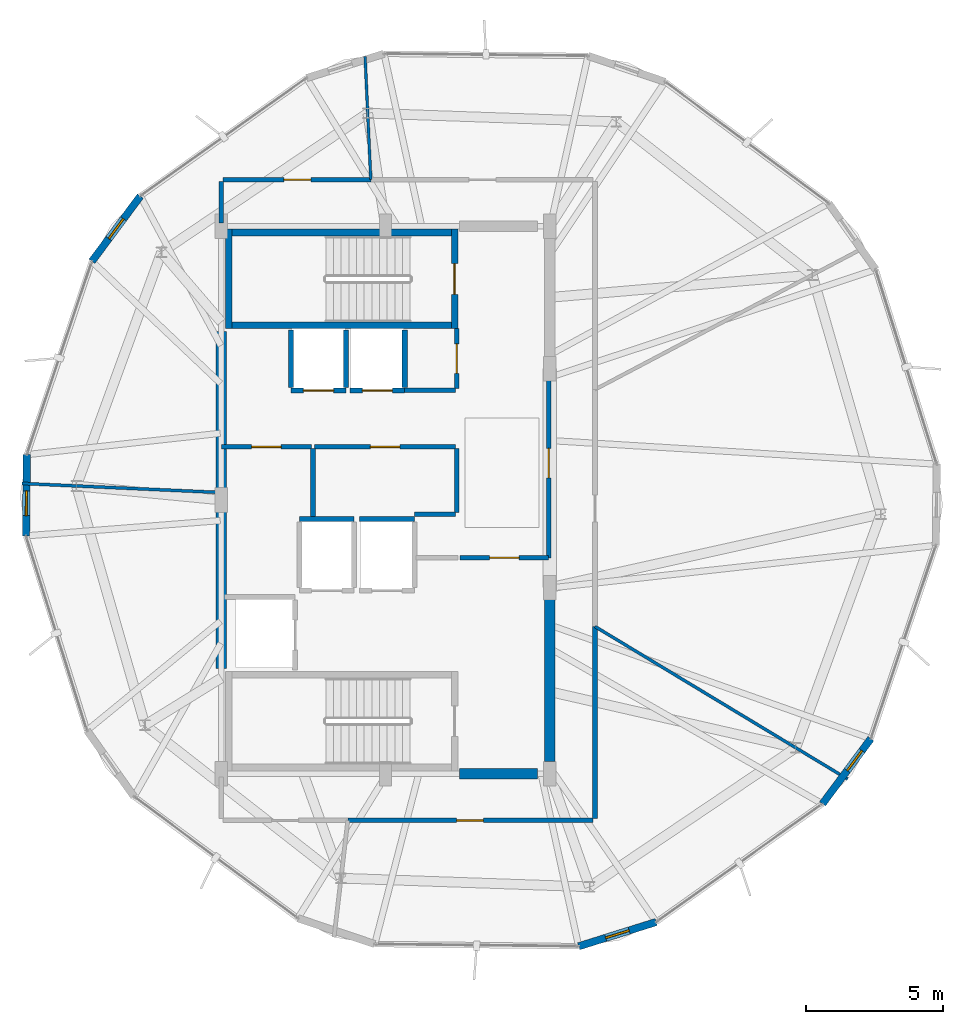
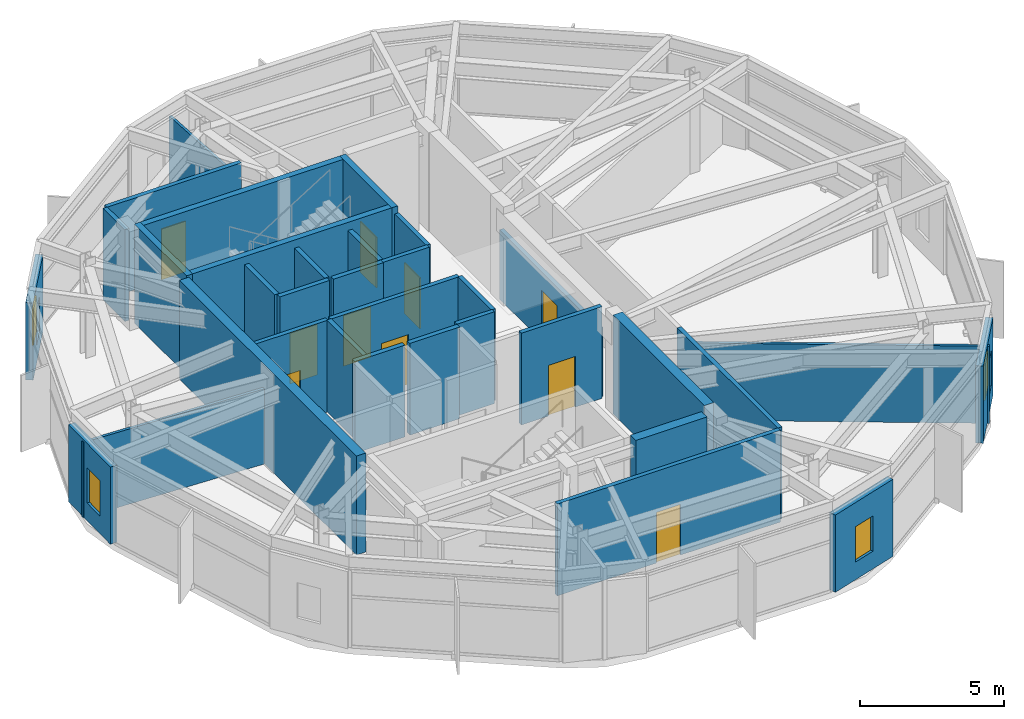
# One storey, part 15 of 19: 34 walls, 10 doors, 4 windows, 14 openings.
"""IFC4 building model written with IfcOpenShell, lengths in metres."""

from ifc_helpers import new_model, si_unit, direction, frame, frame_2d, origin, place, context, subcontext, project, spatial, rectangle, extrude, material, layer, layer_set, type_object, element, fill, save


model = new_model("IFC4")

# Units and contexts
model_context = context("Model", 3, precision=1e-05, world=origin(), true_north=direction((0.0, 1.0)))
body_context = subcontext(model_context, "Body", "Model", "MODEL_VIEW")
ifc_project = project(units=[si_unit("LENGTHUNIT", "METRE"), si_unit("AREAUNIT", "SQUARE_METRE"), si_unit("VOLUMEUNIT", "CUBIC_METRE"), si_unit("PLANEANGLEUNIT", "RADIAN"), si_unit("MASSUNIT", "GRAM", prefix="KILO")], contexts=[model_context])

# Site, building, storey
site_placement = place(None, origin())
site = spatial("IfcSite", under=ifc_project, at=site_placement, CompositionType="ELEMENT")
building_placement = place(site_placement, origin())
building = spatial("IfcBuilding", under=site, at=building_placement, Name="Soratama Intermodal Tower", CompositionType="ELEMENT")
storey_placement = place(building_placement, frame((0.0, 0.0, 297.25)))
storey = spatial("IfcBuildingStorey", under=building, at=storey_placement, Name="L75", CompositionType="ELEMENT", Elevation=297.25)

# Wall, opening, window
ifc_material_1 = material(Name="Concrete f'c 42 MPa", Category="concrete")
ifc_layer_1 = layer(ifc_material_1, 0.27001953125)
ifc_layer_set_1 = layer_set([ifc_layer_1], Name="Concrete f'c 42 MPa")
wall_type_1 = type_object("IfcWallType", Name="EW-CRN-270", PredefinedType="SOLIDWALL", material=ifc_layer_set_1)
wall_1_placement = place(storey_placement, frame((29.64306640625, 36.098876953125, 0.0), z_axis=(0.0, 0.0, 1.0), x_axis=(-0.596187618303, -0.80284514309, 0.0)))
wall_1 = element("IfcWall", 1, at=wall_1_placement, inside=storey, type_object=wall_type_1, Name="L75 Corner Closure Wall 02", PredefinedType="SOLIDWALL", context=body_context, shape_type="SweptSolid", body=[
    extrude(rectangle(XDim=2.966552734375, YDim=0.27001953125, at=frame_2d((1.4833984375, 0.0))), origin(), (0.0, 0.0, 1.0), 3.27392578125),
])
opening_1_placement = place(wall_1_placement, frame((1.033203125, 0.0, 0.75)))
opening_1 = element("IfcOpeningElement", 2, at=opening_1_placement, cuts=wall_1, Name="Opening WN-6", PredefinedType="OPENING", context=body_context, shape_type="SweptSolid", body=[
    extrude(rectangle(XDim=0.89990234375, YDim=1.5, at=frame_2d((0.449951171875, 0.75))), frame((0.0, 0.14501953125, 0.0), z_axis=(0.0, -1.0, 0.0), x_axis=(1.0, 0.0, 0.0)), (0.0, 0.0, 1.0), 0.2900390625),
])
ifc_material_2 = material(Name="Double-glazed aluminium window", Category="aluminium")
window_type = type_object("IfcWindowType", Name="WN-FAC-900", PartitioningType="SINGLE_PANEL", PredefinedType="WINDOW", material=ifc_material_2)
window_1_placement = place(opening_1_placement, origin())
window_1 = element("IfcWindow", 3, at=window_1_placement, inside=storey, type_object=window_type, Name="L75 Corner Window 02", OverallHeight=1.5, OverallWidth=0.89990234375, PartitioningType="SINGLE_PANEL", PredefinedType="WINDOW", context=body_context, shape_type="SweptSolid", body=[
    extrude(rectangle(XDim=0.89990234375, YDim=1.5, at=frame_2d((0.449951171875, 0.75))), frame((0.0, 0.030029296875, 0.0), z_axis=(0.0, -1.0, 0.0), x_axis=(1.0, 0.0, 0.0)), (0.0, 0.0, 1.0), 0.06005859375),
])
fill(opening_1, window_1)

wall_2_placement = place(storey_placement, frame((25.498291015625, 26.6572265625, 0.0), z_axis=(0.0, 0.0, 1.0), x_axis=(-0.010452103923, -0.99994537527, 0.0)))
wall_2 = element("IfcWall", 4, at=wall_2_placement, inside=storey, type_object=wall_type_1, Name="L75 Corner Closure Wall 03", PredefinedType="SOLIDWALL", context=body_context, shape_type="SweptSolid", body=[
    extrude(rectangle(XDim=2.966552734375, YDim=0.27001953125, at=frame_2d((1.4833984375, 0.0))), origin(), (0.0, 0.0, 1.0), 3.27392578125),
])
opening_2_placement = place(wall_2_placement, frame((1.324951171875, 0.0, 0.75)))
opening_2 = element("IfcOpeningElement", 5, at=opening_2_placement, cuts=wall_2, Name="Opening WN-6", PredefinedType="OPENING", context=body_context, shape_type="SweptSolid", body=[
    extrude(rectangle(XDim=0.89990234375, YDim=1.5, at=frame_2d((0.449951171875, 0.75))), frame((0.0, 0.14501953125, 0.0), z_axis=(0.0, -1.0, 0.0), x_axis=(1.0, 0.0, 0.0)), (0.0, 0.0, 1.0), 0.2900390625),
])
window_2_placement = place(opening_2_placement, origin())
window_2 = element("IfcWindow", 6, at=window_2_placement, inside=storey, type_object=window_type, Name="L75 Corner Window 03", OverallHeight=1.5, OverallWidth=0.89990234375, PartitioningType="SINGLE_PANEL", PredefinedType="WINDOW", context=body_context, shape_type="SweptSolid", body=[
    extrude(rectangle(XDim=0.89990234375, YDim=1.5, at=frame_2d((0.449951171875, 0.75))), frame((0.0, 0.030029296875, 0.0), z_axis=(0.0, -1.0, 0.0), x_axis=(1.0, 0.0, 0.0)), (0.0, 0.0, 1.0), 0.06005859375),
])
fill(opening_2, window_2)

wall_3_placement = place(storey_placement, frame((45.654052734375, 8.69873046875, 0.0), z_axis=(0.0, 0.0, 1.0), x_axis=(0.954232173164, 0.299066814772, 0.0)))
wall_3 = element("IfcWall", 7, at=wall_3_placement, inside=storey, type_object=wall_type_1, Name="L75 Corner Closure Wall 06", PredefinedType="SOLIDWALL", context=body_context, shape_type="SweptSolid", body=[
    extrude(rectangle(XDim=2.966552734375, YDim=0.27001953125, at=frame_2d((1.4833984375, 0.0))), origin(), (0.0, 0.0, 1.0), 3.27392578125),
])
opening_3_placement = place(wall_3_placement, frame((1.033203125, 0.0, 0.75)))
opening_3 = element("IfcOpeningElement", 8, at=opening_3_placement, cuts=wall_3, Name="Opening WN-6", PredefinedType="OPENING", context=body_context, shape_type="SweptSolid", body=[
    extrude(rectangle(XDim=0.89990234375, YDim=1.5, at=frame_2d((0.449951171875, 0.75))), frame((0.0, 0.14501953125, 0.0), z_axis=(0.0, -1.0, 0.0), x_axis=(1.0, 0.0, 0.0)), (0.0, 0.0, 1.0), 0.2900390625),
])
window_3_placement = place(opening_3_placement, origin())
window_3 = element("IfcWindow", 9, at=window_3_placement, inside=storey, type_object=window_type, Name="L75 Corner Window 06", OverallHeight=1.5, OverallWidth=0.89990234375, PartitioningType="SINGLE_PANEL", PredefinedType="WINDOW", context=body_context, shape_type="SweptSolid", body=[
    extrude(rectangle(XDim=0.89990234375, YDim=1.5, at=frame_2d((0.449951171875, 0.75))), frame((0.0, 0.030029296875, 0.0), z_axis=(0.0, -1.0, 0.0), x_axis=(1.0, 0.0, 0.0)), (0.0, 0.0, 1.0), 0.06005859375),
])
fill(opening_3, window_3)

wall_4_placement = place(storey_placement, frame((54.556884765625, 13.901123046875, 0.0), z_axis=(0.0, 0.0, 1.0), x_axis=(0.596240662284, 0.802805750253, 0.0)))
wall_4 = element("IfcWall", 10, at=wall_4_placement, inside=storey, type_object=wall_type_1, Name="L75 Corner Closure Wall 07", PredefinedType="SOLIDWALL", context=body_context, shape_type="SweptSolid", body=[
    extrude(rectangle(XDim=2.966552734375, YDim=0.27001953125, at=frame_2d((1.4833984375, 0.0))), origin(), (0.0, 0.0, 1.0), 3.27392578125),
])
opening_4_placement = place(wall_4_placement, frame((1.519287109375, 0.0, 0.75)))
opening_4 = element("IfcOpeningElement", 11, at=opening_4_placement, cuts=wall_4, Name="Opening WN-6", PredefinedType="OPENING", context=body_context, shape_type="SweptSolid", body=[
    extrude(rectangle(XDim=0.89990234375, YDim=1.5, at=frame_2d((0.449951171875, 0.75))), frame((0.0, 0.14501953125, 0.0), z_axis=(0.0, -1.0, 0.0), x_axis=(1.0, 0.0, 0.0)), (0.0, 0.0, 1.0), 0.2900390625),
])
window_4_placement = place(opening_4_placement, origin())
window_4 = element("IfcWindow", 12, at=window_4_placement, inside=storey, type_object=window_type, Name="L75 Corner Window 07", OverallHeight=1.5, OverallWidth=0.89990234375, PartitioningType="SINGLE_PANEL", PredefinedType="WINDOW", context=body_context, shape_type="SweptSolid", body=[
    extrude(rectangle(XDim=0.89990234375, YDim=1.5, at=frame_2d((0.449951171875, 0.75))), frame((0.0, 0.030029296875, 0.0), z_axis=(0.0, -1.0, 0.0), x_axis=(1.0, 0.0, 0.0)), (0.0, 0.0, 1.0), 0.06005859375),
])
fill(opening_4, window_4)

# Wall, opening, door
ifc_material_3 = material(Name="Fire-rated gypsum stud partition", Category="concrete")
ifc_layer_2 = layer(ifc_material_3, 0.169921875)
ifc_layer_set_2 = layer_set([ifc_layer_2], Name="Fire-rated gypsum stud partition")
wall_type_2 = type_object("IfcWallType", Name="IW-PART-R170", PredefinedType="PARTITIONING", material=ifc_layer_set_2)
wall_5_placement = place(storey_placement, frame((46.179931640625, 13.300048828125, 0.0), z_axis=(0.0, 0.0, 1.0), x_axis=(-1.0, 0.0, 0.0)))
wall_5 = element("IfcWall", 13, at=wall_5_placement, inside=storey, type_object=wall_type_2, Name="L75 Partition W-L75-TP003", PredefinedType="PARTITIONING", context=body_context, shape_type="SweptSolid", body=[
    extrude(rectangle(XDim=8.958984375, YDim=0.169921875, at=frame_2d((4.4794921875, 0.0))), origin(), (0.0, 0.0, 1.0), 3.89501953125),
])
opening_5_placement = place(wall_5_placement, frame((4.0048828125, 0.0, 0.0)))
opening_5 = element("IfcOpeningElement", 14, at=opening_5_placement, cuts=wall_5, Name="Opening ID-5", PredefinedType="OPENING", context=body_context, shape_type="SweptSolid", body=[
    extrude(rectangle(XDim=0.97998046875, YDim=2.14990234375, at=frame_2d((0.489990234375, 1.074951171875))), frame((0.0, 0.094970703125, 0.0), z_axis=(0.0, -1.0, 0.0), x_axis=(1.0, 0.0, 0.0)), (0.0, 0.0, 1.0), 0.18994140625),
])
ifc_material_4 = material(Name="Solid hardwood acoustic door", Category="wood")
door_type_1 = type_object("IfcDoorType", Name="DR-OFF-980", OperationType="NOTDEFINED", PredefinedType="DOOR", material=ifc_material_4)
door_1_placement = place(opening_5_placement, origin())
door_1 = element("IfcDoor", 15, at=door_1_placement, inside=storey, type_object=door_type_1, Name="L75 Door D-L75-TP001", OperationType="SINGLE_SWING_RIGHT", OverallHeight=2.14990234375, OverallWidth=0.97998046875, PredefinedType="DOOR", context=body_context, shape_type="SweptSolid", body=[
    extrude(rectangle(XDim=0.97998046875, YDim=2.14990234375, at=frame_2d((0.489990234375, 1.074951171875))), frame((0.0, 0.02490234375, 0.0), z_axis=(0.0, -1.0, 0.0), x_axis=(1.0, 0.0, 0.0)), (0.0, 0.0, 1.0), 0.050048828125),
])
fill(opening_5, door_1)

# Wall
wall_6_placement = place(storey_placement, frame((46.25, 20.37890625, 0.0), z_axis=(0.0, 0.0, 1.0), x_axis=(0.0, -1.0, 0.0)))
element("IfcWall", 16, at=wall_6_placement, inside=storey, type_object=wall_type_2, Name="L75 Partition W-L75-TP008", PredefinedType="PARTITIONING", context=body_context, shape_type="SweptSolid", body=[
    extrude(rectangle(XDim=7.0087890625, YDim=0.169921875, at=frame_2d((3.50439453125, 0.0))), origin(), (0.0, 0.0, 1.0), 3.89501953125),
])

# Wall, opening, door
wall_7_placement = place(storey_placement, frame((44.56005859375, 29.800048828125, 0.0), z_axis=(0.0, 0.0, 1.0), x_axis=(0.0, -1.0, 0.0)))
wall_7 = element("IfcWall", 17, at=wall_7_placement, inside=storey, type_object=wall_type_2, Name="L75 Partition W-L75-TP009", PredefinedType="PARTITIONING", context=body_context, shape_type="SweptSolid", body=[
    extrude(rectangle(XDim=6.91015625, YDim=0.169921875, at=frame_2d((3.455078125, 0.0))), origin(), (0.0, 0.0, 1.0), 2.93505859375),
])
opening_6_placement = place(wall_7_placement, frame((2.9150390625, 0.0, 0.0)))
opening_6 = element("IfcOpeningElement", 18, at=opening_6_placement, cuts=wall_7, Name="Opening ID-1", PredefinedType="OPENING", context=body_context, shape_type="SweptSolid", body=[
    extrude(rectangle(XDim=1.080078125, YDim=2.14990234375, at=frame_2d((0.5400390625, 1.074951171875))), frame((0.0, 0.094970703125, 0.0), z_axis=(0.0, -1.0, 0.0), x_axis=(1.0, 0.0, 0.0)), (0.0, 0.0, 1.0), 0.18994140625),
])
ifc_material_5 = material(Name="Solid hardwood acoustic door", Category="wood")
door_type_2 = type_object("IfcDoorType", Name="DR-LOB-FD60", OperationType="NOTDEFINED", PredefinedType="DOOR", material=ifc_material_5)
door_2_placement = place(opening_6_placement, origin())
door_2 = element("IfcDoor", 19, at=door_2_placement, inside=storey, type_object=door_type_2, Name="L75 Door D-L75-TP004", OperationType="SINGLE_SWING_LEFT", OverallHeight=2.14990234375, OverallWidth=1.080078125, PredefinedType="DOOR", context=body_context, shape_type="SweptSolid", body=[
    extrude(rectangle(XDim=1.080078125, YDim=2.14990234375, at=frame_2d((0.5400390625, 1.074951171875))), frame((0.0, 0.02490234375, 0.0), z_axis=(0.0, -1.0, 0.0), x_axis=(1.0, 0.0, 0.0)), (0.0, 0.0, 1.0), 0.050048828125),
])
fill(opening_6, door_2)

wall_8_placement = place(storey_placement, frame((32.669921875, 36.699951171875, 0.0), z_axis=(0.0, 0.0, 1.0), x_axis=(1.0, 0.0, 0.0)))
wall_8 = element("IfcWall", 20, at=wall_8_placement, inside=storey, type_object=wall_type_2, Name="L75 Partition W-L75-TP010", PredefinedType="PARTITIONING", context=body_context, shape_type="SweptSolid", body=[
    extrude(rectangle(XDim=5.39013671875, YDim=0.169921875, at=frame_2d((2.695068359375, 0.0))), origin(), (0.0, 0.0, 1.0), 3.89501953125),
])
opening_7_placement = place(wall_8_placement, frame((2.219970703125, 0.0, 0.0)))
opening_7 = element("IfcOpeningElement", 21, at=opening_7_placement, cuts=wall_8, Name="Opening ID-5", PredefinedType="OPENING", context=body_context, shape_type="SweptSolid", body=[
    extrude(rectangle(XDim=0.97998046875, YDim=2.14990234375, at=frame_2d((0.489990234375, 1.074951171875))), frame((0.0, 0.094970703125, 0.0), z_axis=(0.0, -1.0, 0.0), x_axis=(1.0, 0.0, 0.0)), (0.0, 0.0, 1.0), 0.18994140625),
])
door_3_placement = place(opening_7_placement, origin())
door_3 = element("IfcDoor", 22, at=door_3_placement, inside=storey, type_object=door_type_1, Name="L75 Door D-L75-TP005", OperationType="SINGLE_SWING_RIGHT", OverallHeight=2.14990234375, OverallWidth=0.97998046875, PredefinedType="DOOR", context=body_context, shape_type="SweptSolid", body=[
    extrude(rectangle(XDim=0.97998046875, YDim=2.14990234375, at=frame_2d((0.489990234375, 1.074951171875))), frame((0.0, 0.02490234375, 0.0), z_axis=(0.0, -1.0, 0.0), x_axis=(1.0, 0.0, 0.0)), (0.0, 0.0, 1.0), 0.050048828125),
])
fill(opening_7, door_3)

wall_9_placement = place(storey_placement, frame((41.159912109375, 26.93994140625, 0.0), z_axis=(0.0, 0.0, 1.0), x_axis=(-1.0, 0.0, 0.0)))
wall_9 = element("IfcWall", 23, at=wall_9_placement, inside=storey, type_object=wall_type_2, Name="L75 Partition W-L75-TP011", PredefinedType="PARTITIONING", context=body_context, shape_type="SweptSolid", body=[
    extrude(rectangle(XDim=5.14990234375, YDim=0.169921875, at=frame_2d((2.574951171875, 0.0))), origin(), (0.0, 0.0, 1.0), 3.89501953125),
])
opening_8_placement = place(wall_9_placement, frame((2.034912109375, 0.0, 0.0)))
opening_8 = element("IfcOpeningElement", 24, at=opening_8_placement, cuts=wall_9, Name="Opening ID-1", PredefinedType="OPENING", context=body_context, shape_type="SweptSolid", body=[
    extrude(rectangle(XDim=1.080078125, YDim=2.14990234375, at=frame_2d((0.5400390625, 1.074951171875))), frame((0.0, 0.094970703125, 0.0), z_axis=(0.0, -1.0, 0.0), x_axis=(1.0, 0.0, 0.0)), (0.0, 0.0, 1.0), 0.18994140625),
])
door_4_placement = place(opening_8_placement, origin())
door_4 = element("IfcDoor", 25, at=door_4_placement, inside=storey, type_object=door_type_2, Name="L75 Door D-L75-TP006", OperationType="SINGLE_SWING_LEFT", OverallHeight=2.14990234375, OverallWidth=1.080078125, PredefinedType="DOOR", context=body_context, shape_type="SweptSolid", body=[
    extrude(rectangle(XDim=1.080078125, YDim=2.14990234375, at=frame_2d((0.5400390625, 1.074951171875))), frame((0.0, 0.02490234375, 0.0), z_axis=(0.0, -1.0, 0.0), x_axis=(1.0, 0.0, 0.0)), (0.0, 0.0, 1.0), 0.050048828125),
])
fill(opening_8, door_4)

wall_10_placement = place(storey_placement, frame((35.889892578125, 26.93994140625, 0.0), z_axis=(0.0, 0.0, 1.0), x_axis=(-1.0, 0.0, 0.0)))
wall_10 = element("IfcWall", 26, at=wall_10_placement, inside=storey, type_object=wall_type_2, Name="L75 Partition W-L75-TP015", PredefinedType="PARTITIONING", context=body_context, shape_type="SweptSolid", body=[
    extrude(rectangle(XDim=3.289794921875, YDim=0.169921875, at=frame_2d((1.64501953125, 0.0))), origin(), (0.0, 0.0, 1.0), 3.89501953125),
])
opening_9_placement = place(wall_10_placement, frame((1.10498046875, 0.0, 0.0)))
opening_9 = element("IfcOpeningElement", 27, at=opening_9_placement, cuts=wall_10, Name="Opening ID-1", PredefinedType="OPENING", context=body_context, shape_type="SweptSolid", body=[
    extrude(rectangle(XDim=1.080078125, YDim=2.14990234375, at=frame_2d((0.5400390625, 1.074951171875))), frame((0.0, 0.094970703125, 0.0), z_axis=(0.0, -1.0, 0.0), x_axis=(1.0, 0.0, 0.0)), (0.0, 0.0, 1.0), 0.18994140625),
])
door_5_placement = place(opening_9_placement, origin())
door_5 = element("IfcDoor", 28, at=door_5_placement, inside=storey, type_object=door_type_2, Name="L75 Door D-L75-TP008", OperationType="SINGLE_SWING_LEFT", OverallHeight=2.14990234375, OverallWidth=1.080078125, PredefinedType="DOOR", context=body_context, shape_type="SweptSolid", body=[
    extrude(rectangle(XDim=1.080078125, YDim=2.14990234375, at=frame_2d((0.5400390625, 1.074951171875))), frame((0.0, 0.02490234375, 0.0), z_axis=(0.0, -1.0, 0.0), x_axis=(1.0, 0.0, 0.0)), (0.0, 0.0, 1.0), 0.050048828125),
])
fill(opening_9, door_5)

wall_11_placement = place(storey_placement, frame((41.320068359375, 22.889892578125, 0.0), z_axis=(0.0, 0.0, 1.0), x_axis=(1.0, 0.0, 0.0)))
wall_11 = element("IfcWall", 29, at=wall_11_placement, inside=storey, type_object=wall_type_2, Name="L75 Partition W-L75-TP016", PredefinedType="PARTITIONING", context=body_context, shape_type="SweptSolid", body=[
    extrude(rectangle(XDim=3.239990234375, YDim=0.169921875, at=frame_2d((1.6201171875, 0.0))), origin(), (0.0, 0.0, 1.0), 3.89501953125),
])
opening_10_placement = place(wall_11_placement, frame((1.080078125, 0.0, 0.0)))
opening_10 = element("IfcOpeningElement", 30, at=opening_10_placement, cuts=wall_11, Name="Opening ID-0", PredefinedType="OPENING", context=body_context, shape_type="SweptSolid", body=[
    extrude(rectangle(XDim=1.080078125, YDim=2.14990234375, at=frame_2d((0.5400390625, 1.074951171875))), frame((0.0, 0.094970703125, 0.0), z_axis=(0.0, -1.0, 0.0), x_axis=(1.0, 0.0, 0.0)), (0.0, 0.0, 1.0), 0.18994140625),
])
ifc_material_6 = material(Name="Solid hardwood acoustic door", Category="wood")
door_type_3 = type_object("IfcDoorType", Name="DR-LOB-FD90", OperationType="NOTDEFINED", PredefinedType="DOOR", material=ifc_material_6)
door_6_placement = place(opening_10_placement, origin())
door_6 = element("IfcDoor", 31, at=door_6_placement, inside=storey, type_object=door_type_3, Name="L75 Door D-L75-TP009", OperationType="SINGLE_SWING_RIGHT", OverallHeight=2.14990234375, OverallWidth=1.080078125, PredefinedType="DOOR", context=body_context, shape_type="SweptSolid", body=[
    extrude(rectangle(XDim=1.080078125, YDim=2.14990234375, at=frame_2d((0.5400390625, 1.074951171875))), frame((0.0, 0.02490234375, 0.0), z_axis=(0.0, -1.0, 0.0), x_axis=(1.0, 0.0, 0.0)), (0.0, 0.0, 1.0), 0.050048828125),
])
fill(opening_10, door_6)

# Walls
wall_12_placement = place(storey_placement, frame((35.949951171875, 26.8798828125, 0.0), z_axis=(0.0, 0.0, 1.0), x_axis=(0.0, -1.0, 0.0)))
element("IfcWall", 32, at=wall_12_placement, inside=storey, type_object=wall_type_2, Name="L75 Partition W-L75-TP017", PredefinedType="PARTITIONING", context=body_context, shape_type="SweptSolid", body=[
    extrude(rectangle(XDim=2.579833984375, YDim=0.169921875, at=frame_2d((1.2900390625, 0.0))), origin(), (0.0, 0.0, 1.0), 3.89501953125),
])
wall_13_placement = place(storey_placement, frame((41.199951171875, 24.550048828125, 0.0), z_axis=(0.0, 0.0, 1.0), x_axis=(0.0, 1.0, 0.0)))
element("IfcWall", 33, at=wall_13_placement, inside=storey, type_object=wall_type_2, Name="L75 Partition W-L75-TP018", PredefinedType="PARTITIONING", context=body_context, shape_type="SweptSolid", body=[
    extrude(rectangle(XDim=2.329833984375, YDim=0.169921875, at=frame_2d((1.1650390625, 0.0))), origin(), (0.0, 0.0, 1.0), 3.89501953125),
])

# Wall, opening, door
wall_14_placement = place(storey_placement, frame((41.199951171875, 29.070068359375, 0.0), z_axis=(0.0, 0.0, 1.0), x_axis=(0.0, 1.0, 0.0)))
wall_14 = element("IfcWall", 34, at=wall_14_placement, inside=storey, type_object=wall_type_2, Name="L75 Partition W-L75-TP019", PredefinedType="PARTITIONING", context=body_context, shape_type="SweptSolid", body=[
    extrude(rectangle(XDim=2.18994140625, YDim=0.169921875, at=frame_2d((1.094970703125, 0.0))), origin(), (0.0, 0.0, 1.0), 3.89501953125),
])
opening_11_placement = place(wall_14_placement, frame((0.554931640625, 0.0, 0.0)))
opening_11 = element("IfcOpeningElement", 35, at=opening_11_placement, cuts=wall_14, Name="Opening ID-1", PredefinedType="OPENING", context=body_context, shape_type="SweptSolid", body=[
    extrude(rectangle(XDim=1.080078125, YDim=2.14990234375, at=frame_2d((0.5400390625, 1.074951171875))), frame((0.0, 0.094970703125, 0.0), z_axis=(0.0, -1.0, 0.0), x_axis=(1.0, 0.0, 0.0)), (0.0, 0.0, 1.0), 0.18994140625),
])
door_7_placement = place(opening_11_placement, origin())
door_7 = element("IfcDoor", 36, at=door_7_placement, inside=storey, type_object=door_type_2, Name="L75 Door D-L75-TP010", OperationType="SINGLE_SWING_LEFT", OverallHeight=2.14990234375, OverallWidth=1.080078125, PredefinedType="DOOR", context=body_context, shape_type="SweptSolid", body=[
    extrude(rectangle(XDim=1.080078125, YDim=2.14990234375, at=frame_2d((0.5400390625, 1.074951171875))), frame((0.0, 0.02490234375, 0.0), z_axis=(0.0, -1.0, 0.0), x_axis=(1.0, 0.0, 0.0)), (0.0, 0.0, 1.0), 0.050048828125),
])
fill(opening_11, door_7)

# Walls
wall_15_placement = place(storey_placement, frame((39.300048828125, 29.010009765625, 0.0), z_axis=(0.0, 0.0, 1.0), x_axis=(1.0, 0.0, 0.0)))
element("IfcWall", 37, at=wall_15_placement, inside=storey, type_object=wall_type_2, Name="L75 Partition W-L75-TP020", PredefinedType="PARTITIONING", context=body_context, shape_type="SweptSolid", body=[
    extrude(rectangle(XDim=1.85986328125, YDim=0.169921875, at=frame_2d((0.929931640625, 0.0))), origin(), (0.0, 0.0, 1.0), 3.89501953125),
])
wall_16_placement = place(storey_placement, frame((32.60009765625, 35.1201171875, 0.0), z_axis=(0.0, 0.0, 1.0), x_axis=(0.0, 1.0, 0.0)))
element("IfcWall", 38, at=wall_16_placement, inside=storey, type_object=wall_type_2, Name="L75 Partition W-L75-TP022", PredefinedType="PARTITIONING", context=body_context, shape_type="SweptSolid", body=[
    extrude(rectangle(XDim=1.509765625, YDim=0.169921875, at=frame_2d((0.7548828125, 0.0))), origin(), (0.0, 0.0, 1.0), 3.89501953125),
])
wall_17_placement = place(storey_placement, frame((39.64990234375, 24.485107421875, 0.0), z_axis=(0.0, 0.0, 1.0), x_axis=(1.0, 0.0, 0.0)))
element("IfcWall", 39, at=wall_17_placement, inside=storey, type_object=wall_type_2, Name="L75 Partition W-L75-TP024", PredefinedType="PARTITIONING", context=body_context, shape_type="SweptSolid", body=[
    extrude(rectangle(XDim=1.510009765625, YDim=0.169921875, at=frame_2d((0.7548828125, 0.0))), origin(), (0.0, 0.0, 1.0), 3.89501953125),
])
ifc_material_7 = material(Name="Fire-rated gypsum stud partition", Category="concrete")
ifc_layer_3 = layer(ifc_material_7, 0.10009765625)
ifc_layer_set_3 = layer_set([ifc_layer_3], Name="Fire-rated gypsum stud partition")
wall_type_3 = type_object("IfcWallType", Name="IW-PART-S100", PredefinedType="PARTITIONING", material=ifc_layer_set_3)
wall_18_placement = place(storey_placement, frame((38.06005859375, 36.699951171875, 0.0), z_axis=(0.0, 0.0, 1.0), x_axis=(-0.046184656357, 0.998932919428, 0.0)))
element("IfcWall", 40, at=wall_18_placement, inside=storey, type_object=wall_type_3, Name="L75 Partition W-L75-TP013", PredefinedType="PARTITIONING", context=body_context, shape_type="SweptSolid", body=[
    extrude(rectangle(XDim=4.50390625, YDim=0.10009765625, at=frame_2d((2.251953125, 0.0))), origin(), (0.0, 0.0, 1.0), 3.18994140625),
])
ifc_material_8 = material(Name="Fire-rated gypsum stud partition", Category="concrete")
ifc_layer_4 = layer(ifc_material_8, 0.110107421875)
ifc_layer_set_4 = layer_set([ifc_layer_4], Name="Fire-rated gypsum stud partition")
wall_type_4 = type_object("IfcWallType", Name="IW-PART-S110", PredefinedType="PARTITIONING", material=ifc_layer_set_4)
wall_19_placement = place(storey_placement, frame((46.25, 20.37890625, 0.0), z_axis=(0.0, 0.0, 1.0), x_axis=(0.856016994911, -0.516947680548, 0.0)))
element("IfcWall", 41, at=wall_19_placement, inside=storey, type_object=wall_type_4, Name="L75 Partition W-L75-TP002", PredefinedType="PARTITIONING", context=body_context, shape_type="SweptSolid", body=[
    extrude(rectangle(XDim=10.782470703125, YDim=0.110107421875, at=frame_2d((5.39111328125, 0.0))), origin(), (0.0, 0.0, 1.0), 3.27294921875),
])
wall_20_placement = place(storey_placement, frame((32.527099609375, 25.27587890625, 0.0), z_axis=(0.0, 0.0, 1.0), x_axis=(-0.998965188352, 0.045481341909, 0.0)))
element("IfcWall", 42, at=wall_20_placement, inside=storey, type_object=wall_type_4, Name="L75 Partition W-L75-TP007", PredefinedType="PARTITIONING", context=body_context, shape_type="SweptSolid", body=[
    extrude(rectangle(XDim=7.214599609375, YDim=0.110107421875, at=frame_2d((3.607421875, 0.0))), origin(), (0.0, 0.0, 1.0), 3.18994140625),
])
ifc_material_9 = material(Name="Concrete f'c 42 MPa", Category="concrete")
ifc_layer_5 = layer(ifc_material_9, 0.18505859375)
ifc_layer_set_5 = layer_set([ifc_layer_5], Name="Concrete f'c 42 MPa")
wall_type_5 = type_object("IfcWallType", Name="IW-SHAFT-185", PredefinedType="SOLIDWALL", material=ifc_layer_set_5)
for number, where, z_axis, x_axis, name in (
    (43, (35.449951171875, 24.300048828125, 0.0), (0.0, 0.0, 1.0), (1.0, 0.0, 0.0), "L75 FFL-1 Hoistway Wall N"),
    (44, (37.64990234375, 24.300048828125, 0.0), (0.0, 0.0, 1.0), (1.0, 0.0, 0.0), "L75 FFL-2 Hoistway Wall N"),
):
    element("IfcWall", number, at=place(storey_placement, frame(where, z_axis=z_axis, x_axis=x_axis)), inside=storey, type_object=wall_type_5, Name=name, PredefinedType="SOLIDWALL", context=body_context, shape_type="SweptSolid", body=[
        extrude(rectangle(XDim=2.0, YDim=0.18505859375, at=frame_2d((1.0, 0.0))), origin(), (0.0, 0.0, 1.0), 3.89501953125),
    ])

# Wall, opening, door
wall_21_placement = place(storey_placement, frame((35.14990234375, 29.0, 0.0), z_axis=(0.0, 0.0, 1.0), x_axis=(1.0, 0.0, 0.0)))
wall_21 = element("IfcWall", 45, at=wall_21_placement, inside=storey, type_object=wall_type_5, Name="L75 PL-H1 Hoistway Wall S", PredefinedType="SOLIDWALL", context=body_context, shape_type="SweptSolid", body=[
    extrude(rectangle(XDim=2.0, YDim=0.18505859375, at=frame_2d((1.0, 0.0))), origin(), (0.0, 0.0, 1.0), 3.89501953125),
])
opening_12_placement = place(wall_21_placement, frame((0.449951171875, 0.0, 0.0)))
opening_12 = element("IfcOpeningElement", 46, at=opening_12_placement, cuts=wall_21, Name="Opening LD-1", PredefinedType="OPENING", context=body_context, shape_type="SweptSolid", body=[
    extrude(rectangle(XDim=1.10009765625, YDim=2.14990234375, at=frame_2d((0.550048828125, 1.074951171875))), frame((0.0, 0.1025390625, 0.0), z_axis=(0.0, -1.0, 0.0), x_axis=(1.0, 0.0, 0.0)), (0.0, 0.0, 1.0), 0.205078125),
])
ifc_material_10 = material(Name="Steel fire door", Category="steel")
door_type_4 = type_object("IfcDoorType", Name="DR-LIFT-SLIDE", OperationType="NOTDEFINED", PredefinedType="DOOR", material=ifc_material_10)
door_8_placement = place(opening_12_placement, origin())
door_8 = element("IfcDoor", 47, at=door_8_placement, inside=storey, type_object=door_type_4, Name="L75 PL-H1 Sliding Landing Door", OperationType="SLIDING_TO_LEFT", OverallHeight=2.14990234375, OverallWidth=1.10009765625, PredefinedType="DOOR", context=body_context, shape_type="SweptSolid", body=[
    extrude(rectangle(XDim=1.10009765625, YDim=2.14990234375, at=frame_2d((0.550048828125, 1.074951171875))), frame((0.0, 0.02490234375, 0.0), z_axis=(0.0, -1.0, 0.0), x_axis=(1.0, 0.0, 0.0)), (0.0, 0.0, 1.0), 0.050048828125),
])
fill(opening_12, door_8)

# Walls
for number, where, z_axis, x_axis, name in (
    (48, (35.14990234375, 29.110107421875, 0.0), (0.0, 0.0, 1.0), (0.0, 1.0, 0.0), "L75 PL-H1 Hoistway Wall W"),
    (49, (37.14990234375, 29.110107421875, 0.0), (0.0, 0.0, 1.0), (0.0, 1.0, 0.0), "L75 PL-H1 Hoistway Wall E"),
):
    element("IfcWall", number, at=place(storey_placement, frame(where, z_axis=z_axis, x_axis=x_axis)), inside=storey, type_object=wall_type_5, Name=name, PredefinedType="SOLIDWALL", context=body_context, shape_type="SweptSolid", body=[
        extrude(rectangle(XDim=2.099853515625, YDim=0.18505859375, at=frame_2d((1.0498046875, 0.0))), origin(), (0.0, 0.0, 1.0), 3.89501953125),
    ])

# Wall, opening, door
wall_22_placement = place(storey_placement, frame((37.300048828125, 29.0, 0.0), z_axis=(0.0, 0.0, 1.0), x_axis=(1.0, 0.0, 0.0)))
wall_22 = element("IfcWall", 50, at=wall_22_placement, inside=storey, type_object=wall_type_5, Name="L75 PL-H2 Hoistway Wall S", PredefinedType="SOLIDWALL", context=body_context, shape_type="SweptSolid", body=[
    extrude(rectangle(XDim=2.0, YDim=0.18505859375, at=frame_2d((1.0, 0.0))), origin(), (0.0, 0.0, 1.0), 3.89501953125),
])
opening_13_placement = place(wall_22_placement, frame((0.449951171875, 0.0, 0.0)))
opening_13 = element("IfcOpeningElement", 51, at=opening_13_placement, cuts=wall_22, Name="Opening LD-1", PredefinedType="OPENING", context=body_context, shape_type="SweptSolid", body=[
    extrude(rectangle(XDim=1.10009765625, YDim=2.14990234375, at=frame_2d((0.550048828125, 1.074951171875))), frame((0.0, 0.1025390625, 0.0), z_axis=(0.0, -1.0, 0.0), x_axis=(1.0, 0.0, 0.0)), (0.0, 0.0, 1.0), 0.205078125),
])
door_9_placement = place(opening_13_placement, origin())
door_9 = element("IfcDoor", 52, at=door_9_placement, inside=storey, type_object=door_type_4, Name="L75 PL-H2 Sliding Landing Door", OperationType="SLIDING_TO_LEFT", OverallHeight=2.14990234375, OverallWidth=1.10009765625, PredefinedType="DOOR", context=body_context, shape_type="SweptSolid", body=[
    extrude(rectangle(XDim=1.10009765625, YDim=2.14990234375, at=frame_2d((0.550048828125, 1.074951171875))), frame((0.0, 0.02490234375, 0.0), z_axis=(0.0, -1.0, 0.0), x_axis=(1.0, 0.0, 0.0)), (0.0, 0.0, 1.0), 0.050048828125),
])
fill(opening_13, door_9)

# Walls
wall_23_placement = place(storey_placement, frame((39.300048828125, 29.110107421875, 0.0), z_axis=(0.0, 0.0, 1.0), x_axis=(0.0, 1.0, 0.0)))
element("IfcWall", 53, at=wall_23_placement, inside=storey, type_object=wall_type_5, Name="L75 PL-H2 Hoistway Wall E", PredefinedType="SOLIDWALL", context=body_context, shape_type="SweptSolid", body=[
    extrude(rectangle(XDim=2.099853515625, YDim=0.18505859375, at=frame_2d((1.0498046875, 0.0))), origin(), (0.0, 0.0, 1.0), 3.89501953125),
])
ifc_material_11 = material(Name="Concrete f'c 56 MPa", Category="concrete")
ifc_layer_6 = layer(ifc_material_11, 0.3798828125)
ifc_layer_set_6 = layer_set([ifc_layer_6], Name="Concrete f'c 56 MPa")
wall_type_6 = type_object("IfcWallType", Name="SW-CORE-380", PredefinedType="SHEAR", material=ifc_layer_set_6)
wall_24_placement = place(storey_placement, frame((32.60009765625, 18.85009765625, 0.0), z_axis=(0.0, 0.0, 1.0), x_axis=(0.0, 1.0, 0.0)))
element("IfcWall", 54, at=wall_24_placement, inside=storey, type_object=wall_type_6, Name="L75 Core Shear Wall CW-WMID", PredefinedType="SHEAR", context=body_context, shape_type="SweptSolid", body=[
    extrude(rectangle(XDim=12.2998046875, YDim=0.3798828125, at=frame_2d((6.14990234375, 0.0))), origin(), (0.0, 0.0, 1.0), 4.199951171875),
])
wall_25_placement = place(storey_placement, frame((41.300048828125, 15.0, 0.0), z_axis=(0.0, 0.0, 1.0), x_axis=(1.0, 0.0, 0.0)))
element("IfcWall", 55, at=wall_25_placement, inside=storey, type_object=wall_type_6, Name="L75 Core Shear Wall CW-SE", PredefinedType="SHEAR", context=body_context, shape_type="SweptSolid", body=[
    extrude(rectangle(XDim=2.849853515625, YDim=0.3798828125, at=frame_2d((1.4248046875, 0.0))), origin(), (0.0, 0.0, 1.0), 4.199951171875),
])
wall_26_placement = place(storey_placement, frame((44.60009765625, 15.449951171875, 0.0), z_axis=(0.0, 0.0, 1.0), x_axis=(0.0, 1.0, 0.0)))
element("IfcWall", 56, at=wall_26_placement, inside=storey, type_object=wall_type_6, Name="L75 Core Shear Wall CW-ES", PredefinedType="SHEAR", context=body_context, shape_type="SweptSolid", body=[
    extrude(rectangle(XDim=6.35009765625, YDim=0.3798828125, at=frame_2d((3.175048828125, 0.0))), origin(), (0.0, 0.0, 1.0), 4.199951171875),
])
ifc_material_12 = material(Name="Concrete f'c 56 MPa", Category="concrete")
ifc_layer_7 = layer(ifc_material_12, 0.239990234375)
ifc_layer_set_7 = layer_set([ifc_layer_7], Name="Concrete f'c 56 MPa")
wall_type_7 = type_object("IfcWallType", Name="SW-STAIR-240", PredefinedType="SHEAR", material=ifc_layer_set_7)
wall_27_placement = place(storey_placement, frame((32.8798828125, 31.260009765625, 0.0), z_axis=(0.0, 0.0, 1.0), x_axis=(0.0, 1.0, 0.0)))
element("IfcWall", 57, at=wall_27_placement, inside=storey, type_object=wall_type_7, Name="L75 ST-2 Shaft Shear Wall W", PredefinedType="SHEAR", context=body_context, shape_type="SweptSolid", body=[
    extrude(rectangle(XDim=3.6298828125, YDim=0.239990234375, at=frame_2d((1.81494140625, 0.0))), origin(), (0.0, 0.0, 1.0), 4.199951171875),
])

# Wall, opening, door
wall_28_placement = place(storey_placement, frame((41.1201171875, 31.260009765625, 0.0), z_axis=(0.0, 0.0, 1.0), x_axis=(0.0, 1.0, 0.0)))
wall_28 = element("IfcWall", 58, at=wall_28_placement, inside=storey, type_object=wall_type_7, Name="L75 ST-2 Shaft Shear Wall E", PredefinedType="SHEAR", context=body_context, shape_type="SweptSolid", body=[
    extrude(rectangle(XDim=3.6298828125, YDim=0.239990234375, at=frame_2d((1.81494140625, 0.0))), origin(), (0.0, 0.0, 1.0), 4.199951171875),
])
opening_14_placement = place(wall_28_placement, frame((1.2548828125, 0.0, 0.0)))
opening_14 = element("IfcOpeningElement", 59, at=opening_14_placement, cuts=wall_28, Name="Opening SD-1", PredefinedType="OPENING", context=body_context, shape_type="SweptSolid", body=[
    extrude(rectangle(XDim=1.1201171875, YDim=2.14990234375, at=frame_2d((0.56005859375, 1.074951171875))), frame((0.0, 0.1298828125, 0.0), z_axis=(0.0, -1.0, 0.0), x_axis=(1.0, 0.0, 0.0)), (0.0, 0.0, 1.0), 0.260009765625),
])
ifc_material_13 = material(Name="Steel fire door", Category="steel")
door_type_5 = type_object("IfcDoorType", Name="DR-STAIR-FD90", OperationType="NOTDEFINED", PredefinedType="DOOR", material=ifc_material_13)
door_10_placement = place(opening_14_placement, origin())
door_10 = element("IfcDoor", 60, at=door_10_placement, inside=storey, type_object=door_type_5, Name="L75 ST-2 Exit Stair Door", OperationType="SINGLE_SWING_RIGHT", OverallHeight=2.14990234375, OverallWidth=1.1201171875, PredefinedType="DOOR", context=body_context, shape_type="SweptSolid", body=[
    extrude(rectangle(XDim=1.1201171875, YDim=2.14990234375, at=frame_2d((0.56005859375, 1.074951171875))), frame((0.0, 0.02490234375, 0.0), z_axis=(0.0, -1.0, 0.0), x_axis=(1.0, 0.0, 0.0)), (0.0, 0.0, 1.0), 0.050048828125),
])
fill(opening_14, door_10)

# Walls
for number, where, z_axis, x_axis, name in (
    (61, (33.0, 31.3798828125, 0.0), (0.0, 0.0, 1.0), (1.0, 0.0, 0.0), "L75 ST-2 Shaft Shear Wall S"),
    (62, (33.0, 34.77001953125, 0.0), (0.0, 0.0, 1.0), (1.0, 0.0, 0.0), "L75 ST-2 Shaft Shear Wall N"),
):
    element("IfcWall", number, at=place(storey_placement, frame(where, z_axis=z_axis, x_axis=x_axis)), inside=storey, type_object=wall_type_7, Name=name, PredefinedType="SHEAR", context=body_context, shape_type="SweptSolid", body=[
        extrude(rectangle(XDim=8.0, YDim=0.239990234375, at=frame_2d((4.0, 0.0))), origin(), (0.0, 0.0, 1.0), 4.199951171875),
    ])

save(model, "model.ifc")
